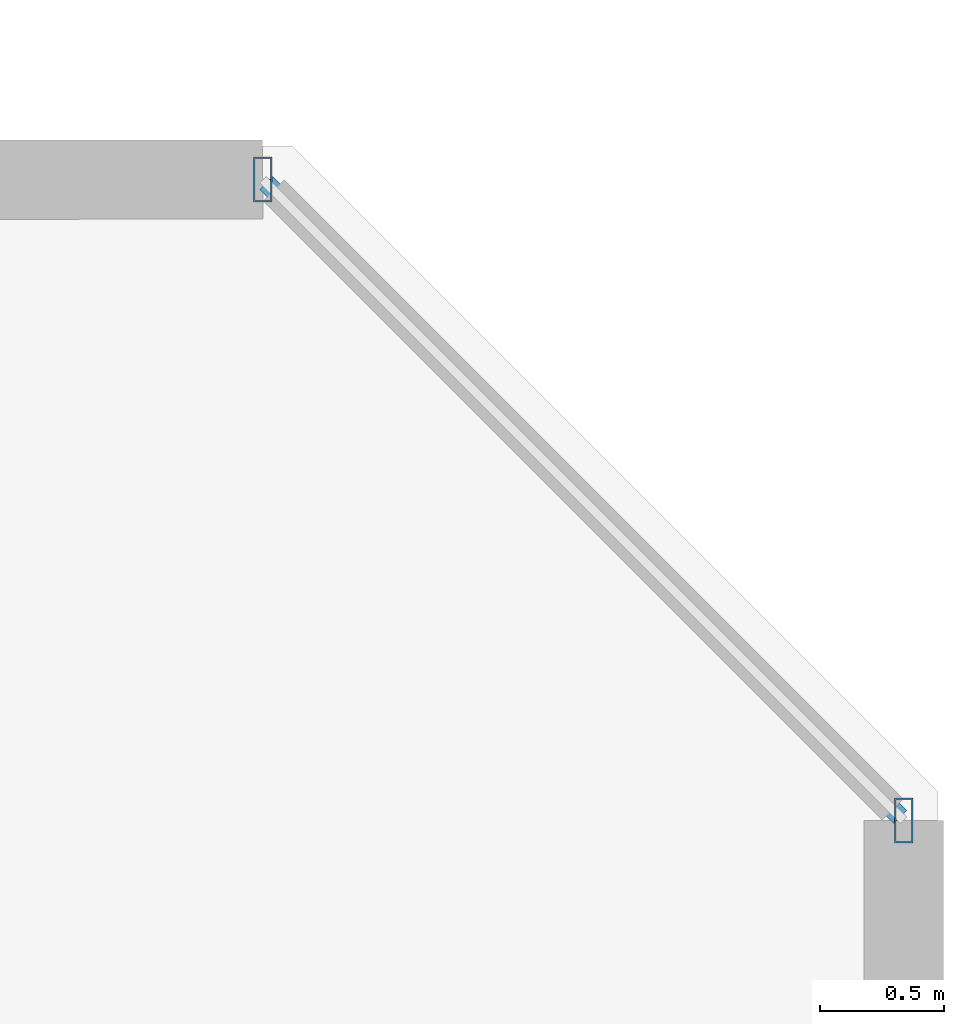
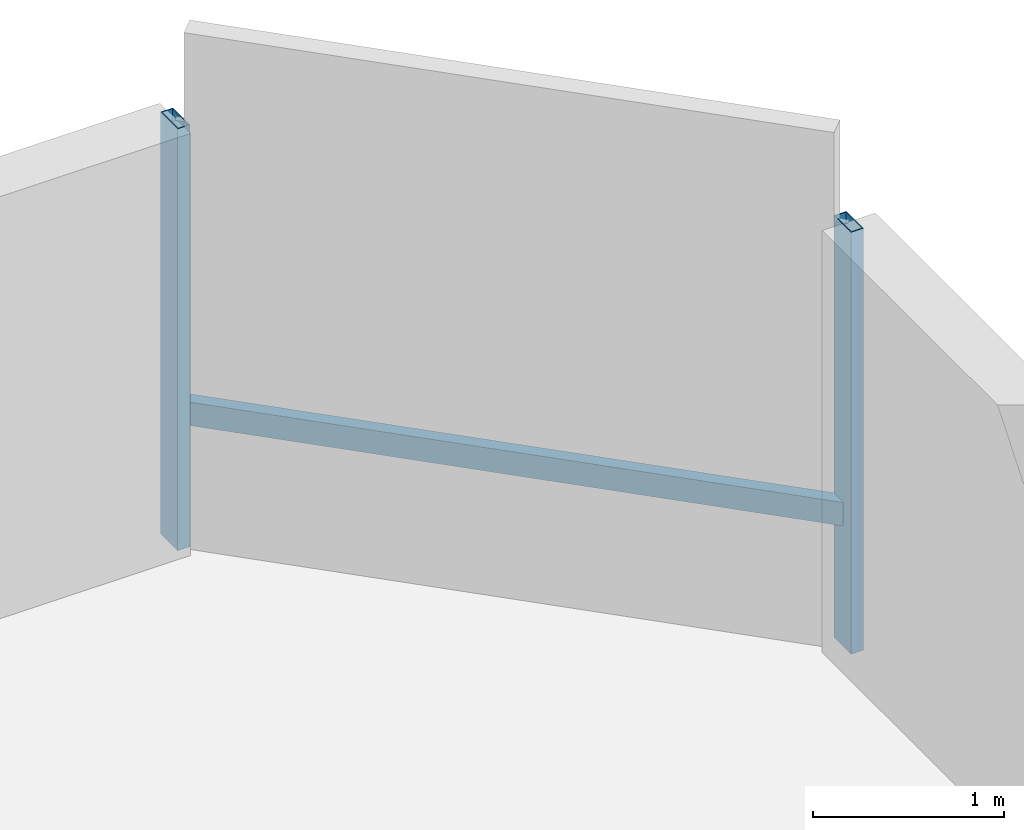
# One storey, part 16 of 29: 3 members, 1 element without a shape of its own.
"""IFC4 building model written with IfcOpenShell, lengths in metres."""

from ifc_helpers import new_model, si_unit, direction, frame, origin, origin_2d, place, context, subcontext, project, spatial, hollow_rectangle, extrude, material, material_profile, profile_set, type_object, element, aggregate, save


model = new_model("IFC4")

# Units and contexts
model_context = context("Model", 3, precision=1e-05, world=origin(), true_north=direction((0.0, 1.0)))
body_context = subcontext(model_context, "Body", "Model", "MODEL_VIEW")
ifc_project = project(units=[si_unit("LENGTHUNIT", "METRE"), si_unit("AREAUNIT", "SQUARE_METRE"), si_unit("VOLUMEUNIT", "CUBIC_METRE"), si_unit("PLANEANGLEUNIT", "RADIAN"), si_unit("MASSUNIT", "GRAM", prefix="KILO")], contexts=[model_context])

# Site, building, storey
site_placement = place(None, origin())
site = spatial("IfcSite", under=ifc_project, at=site_placement, CompositionType="ELEMENT")
building_placement = place(site_placement, origin())
building = spatial("IfcBuilding", under=site, at=building_placement, Name="Thornwick Lancets Civic Towers", CompositionType="ELEMENT")
storey_placement = place(building_placement, frame((0.0, 0.0, 229.5)))
storey = spatial("IfcBuildingStorey", under=building, at=storey_placement, Name="L61", CompositionType="ELEMENT", Elevation=229.5)

# Curtain wall, members
ifc_material_1 = material(Name="High-zone chamfered-corner unitised glass curtain wall", Category="glass")
curtain_wall_type = type_object("IfcCurtainWallType", Name="CW_SYS_05", PredefinedType="NOTDEFINED", material=ifc_material_1)
curtain_wall_placement = place(storey_placement, origin())
curtain_wall = element("IfcCurtainWall", 1, at=curtain_wall_placement, inside=storey, type_object=curtain_wall_type, Name="L61 Curtain Wall CW-L61-B-E3", PredefinedType="NOTDEFINED")
ifc_material_2 = material(Name="Thermally broken bronze aluminium S355", Category="steel")
ifc_material_profile_1 = material_profile(ifc_material_2, hollow_rectangle(XDim=0.074951171875, YDim=0.179931640625, WallThickness=0.006103515625, at=origin_2d()), Name="RHS 180x75x6")
ifc_profile_set_1 = profile_set([ifc_material_profile_1], Name="Thermally broken bronze aluminium S355")
member_type_1 = type_object("IfcMemberType", Name="CW_MUL_180", PredefinedType="MULLION", material=ifc_profile_set_1)
member_1_placement = place(storey_placement, frame((112.2646484375, 42.181396484375, 0.0), z_axis=(0.0, 0.0, 1.0), x_axis=(1.0, 0.0, 0.0)))
member_1 = element("IfcMember", 2, at=member_1_placement, type_object=member_type_1, Name="CW-L61-B-E3 Mullion 0", PredefinedType="MULLION", context=body_context, shape_type="SweptSolid", body=[
    extrude(hollow_rectangle(XDim=0.074951171875, YDim=0.179931640625, WallThickness=0.006103515625, at=origin_2d()), origin(), (0.0, 0.0, 1.0), 2.699951171875),
])
member_2_placement = place(storey_placement, frame((109.681396484375, 44.7646484375, 0.0), z_axis=(0.0, 0.0, 1.0), x_axis=(1.0, 0.0, 0.0)))
member_2 = element("IfcMember", 3, at=member_2_placement, type_object=member_type_1, Name="CW-L61-B-E3 Mullion 1", PredefinedType="MULLION", context=body_context, shape_type="SweptSolid", body=[
    extrude(hollow_rectangle(XDim=0.074951171875, YDim=0.179931640625, WallThickness=0.006103515625, at=origin_2d()), origin(), (0.0, 0.0, 1.0), 2.699951171875),
])
ifc_material_profile_2 = material_profile(ifc_material_2, hollow_rectangle(XDim=0.074951171875, YDim=0.14990234375, WallThickness=0.0048828125, at=origin_2d()), Name="RHS 150x75x5")
ifc_profile_set_2 = profile_set([ifc_material_profile_2], Name="Thermally broken bronze aluminium S355")
member_type_2 = type_object("IfcMemberType", Name="CW_TRN_150", PredefinedType="USERDEFINED", material=ifc_profile_set_2)
member_3_placement = place(storey_placement, frame((112.25048828125, 42.195556640625, 0.85009765625), z_axis=(-0.707106781187, 0.707106781187, 0.0), x_axis=(-0.707106781187, -0.707106781187, 0.0)))
member_3 = element("IfcMember", 4, at=member_3_placement, type_object=member_type_2, Name="CW-L61-B-E3 Transom 0", ObjectType="TRANSOM", PredefinedType="USERDEFINED", context=body_context, shape_type="SweptSolid", body=[
    extrude(hollow_rectangle(XDim=0.074951171875, YDim=0.14990234375, WallThickness=0.0048828125, at=origin_2d()), origin(), (0.0, 0.0, 1.0), 3.61328125),
])
aggregate(curtain_wall, [member_1, member_2, member_3])

save(model, "model.ifc")
